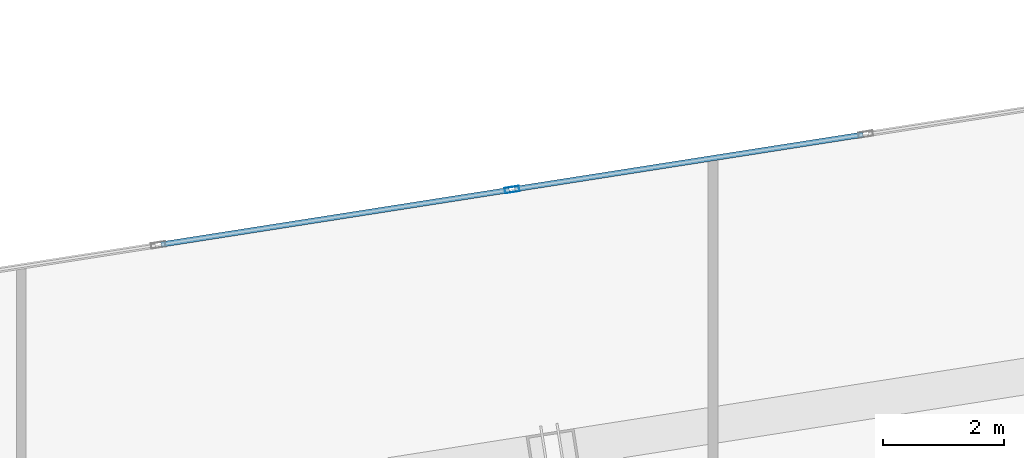
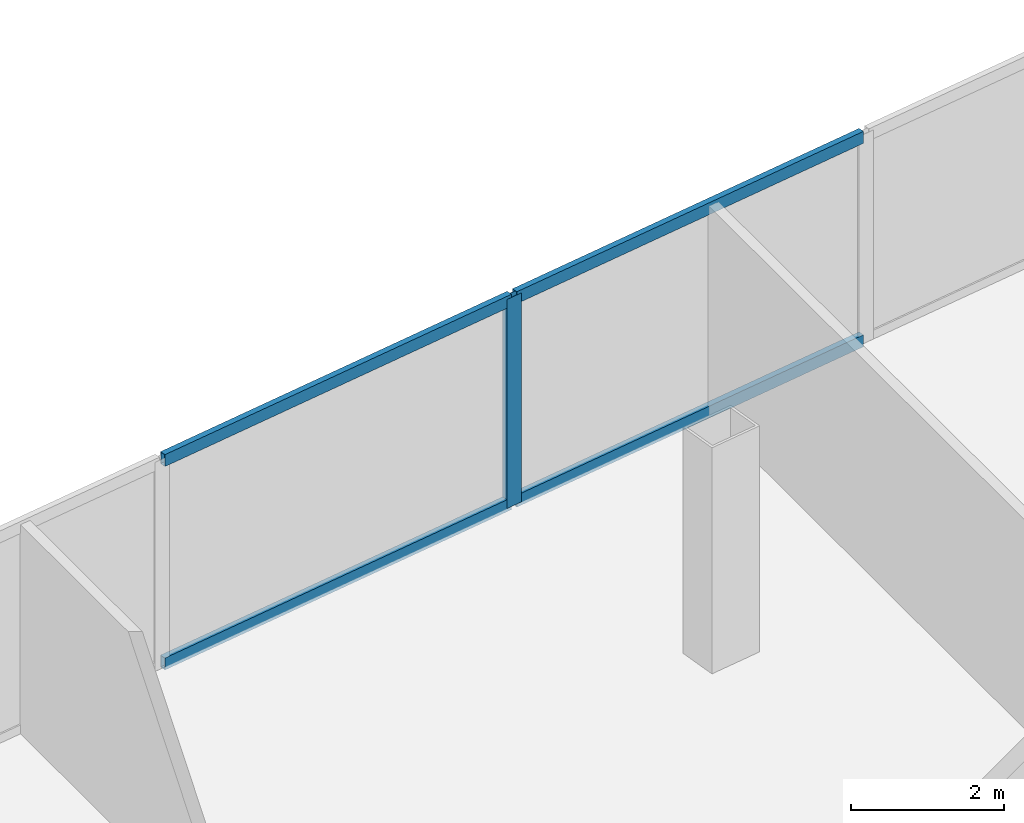
# One storey, part 11 of 17: 5 members, 1 element without a shape of its own.
"""IFC4 building model written with IfcOpenShell, lengths in metres."""

from ifc_helpers import new_model, si_unit, direction, frame, origin, origin_2d, place, context, subcontext, project, spatial, hollow_rectangle, extrude, material, material_profile, profile_set, type_object, element, aggregate, save


model = new_model("IFC4")

# Units and contexts
model_context = context("Model", 3, precision=1e-05, world=origin(), true_north=direction((0.0, 1.0)))
body_context = subcontext(model_context, "Body", "Model", "MODEL_VIEW")
ifc_project = project(units=[si_unit("LENGTHUNIT", "METRE"), si_unit("AREAUNIT", "SQUARE_METRE"), si_unit("VOLUMEUNIT", "CUBIC_METRE"), si_unit("PLANEANGLEUNIT", "RADIAN"), si_unit("MASSUNIT", "GRAM", prefix="KILO")], contexts=[model_context])

# Site, building, storey
site_placement = place(None, origin())
site = spatial("IfcSite", under=ifc_project, at=site_placement, CompositionType="ELEMENT")
building_placement = place(site_placement, origin())
building = spatial("IfcBuilding", under=site, at=building_placement, Name="Haldenkirk Collegiate Tower", CompositionType="ELEMENT")
storey_placement = place(building_placement, frame((0.0, 0.0, 367.800048828125)))
storey = spatial("IfcBuildingStorey", under=building, at=storey_placement, Name="L93", CompositionType="ELEMENT", Elevation=367.800048828125)

# Curtain wall, members
ifc_material = material(Name="Anodised architectural bronze aluminium", Category="aluminium")
curtain_wall_type = type_object("IfcCurtainWallType", Name="CW-SYS6-CROWN", PredefinedType="USERDEFINED", material=ifc_material)
curtain_wall_placement = place(storey_placement, origin())
curtain_wall = element("IfcCurtainWall", 1, at=curtain_wall_placement, inside=storey, type_object=curtain_wall_type, Name="L93 Closed crown ring ceramic-fritted bronze screen curtain wall", ObjectType="UNITISED CURTAIN WALL", PredefinedType="USERDEFINED")
ifc_material_profile_1 = material_profile(ifc_material, hollow_rectangle(XDim=0.090087890625, YDim=0.239990234375, WallThickness=0.0048828125, at=origin_2d()), Name="CW-MUL-06")
ifc_profile_set_1 = profile_set([ifc_material_profile_1], Name="Anodised architectural bronze aluminium")
member_type_1 = type_object("IfcMemberType", Name="CW-MUL-06", PredefinedType="MULLION", material=ifc_profile_set_1)
member_1_placement = place(storey_placement, frame((32.689208984375, 47.142333984375, 0.0), z_axis=(0.0, 0.0, 1.0), x_axis=(-0.154708982189, 0.987960085646, 0.0)))
member_1 = element("IfcMember", 2, at=member_1_placement, type_object=member_type_1, Name="CW-06 mullion 4", PredefinedType="MULLION", context=body_context, shape_type="SweptSolid", body=[
    extrude(hollow_rectangle(XDim=0.090087890625, YDim=0.239990234375, WallThickness=0.0048828125, at=origin_2d()), origin(), (0.0, 0.0, 1.0), 3.329833984375),
])
ifc_material_profile_2 = material_profile(ifc_material, hollow_rectangle(XDim=0.090087890625, YDim=0.18994140625, WallThickness=0.0048828125, at=origin_2d()), Name="CW-TRN-06")
ifc_profile_set_2 = profile_set([ifc_material_profile_2], Name="Anodised architectural bronze aluminium")
member_type_2 = type_object("IfcMemberType", Name="CW-TRN-06", PredefinedType="USERDEFINED", material=ifc_profile_set_2)
member_2_placement = place(storey_placement, frame((26.90478515625, 46.236572265625, 0.044921875), z_axis=(0.987958095237, 0.154721692257, 0.0), x_axis=(-0.154721692257, 0.987958095237, 0.0)))
member_2 = element("IfcMember", 3, at=member_2_placement, type_object=member_type_2, Name="CW-06 transom 3.1", ObjectType="TRANSOM", PredefinedType="USERDEFINED", context=body_context, shape_type="SweptSolid", body=[
    extrude(hollow_rectangle(XDim=0.090087890625, YDim=0.18994140625, WallThickness=0.0048828125, at=origin_2d()), origin(), (0.0, 0.0, 1.0), 5.81005859375),
])
member_3_placement = place(storey_placement, frame((26.90478515625, 46.236572265625, 3.284912109375), z_axis=(0.987958095237, 0.154721692257, 0.0), x_axis=(-0.154721692257, 0.987958095237, 0.0)))
member_3 = element("IfcMember", 4, at=member_3_placement, type_object=member_type_2, Name="CW-06 transom 3.2", ObjectType="TRANSOM", PredefinedType="USERDEFINED", context=body_context, shape_type="SweptSolid", body=[
    extrude(hollow_rectangle(XDim=0.090087890625, YDim=0.18994140625, WallThickness=0.0048828125, at=origin_2d()), origin(), (0.0, 0.0, 1.0), 5.81005859375),
])
member_4_placement = place(storey_placement, frame((32.733642578125, 47.1494140625, 0.044921875), z_axis=(0.987964517712, 0.154680676692, 0.0), x_axis=(-0.154680676692, 0.987964517712, 0.0)))
member_4 = element("IfcMember", 5, at=member_4_placement, type_object=member_type_2, Name="CW-06 transom 4.1", ObjectType="TRANSOM", PredefinedType="USERDEFINED", context=body_context, shape_type="SweptSolid", body=[
    extrude(hollow_rectangle(XDim=0.090087890625, YDim=0.18994140625, WallThickness=0.0048828125, at=origin_2d()), origin(), (0.0, 0.0, 1.0), 5.809814453125),
])
member_5_placement = place(storey_placement, frame((32.733642578125, 47.1494140625, 3.284912109375), z_axis=(0.987964517712, 0.154680676692, 0.0), x_axis=(-0.154680676692, 0.987964517712, 0.0)))
member_5 = element("IfcMember", 6, at=member_5_placement, type_object=member_type_2, Name="CW-06 transom 4.2", ObjectType="TRANSOM", PredefinedType="USERDEFINED", context=body_context, shape_type="SweptSolid", body=[
    extrude(hollow_rectangle(XDim=0.090087890625, YDim=0.18994140625, WallThickness=0.0048828125, at=origin_2d()), origin(), (0.0, 0.0, 1.0), 5.809814453125),
])
aggregate(curtain_wall, [member_1, member_2, member_3, member_4, member_5])

save(model, "model.ifc")
